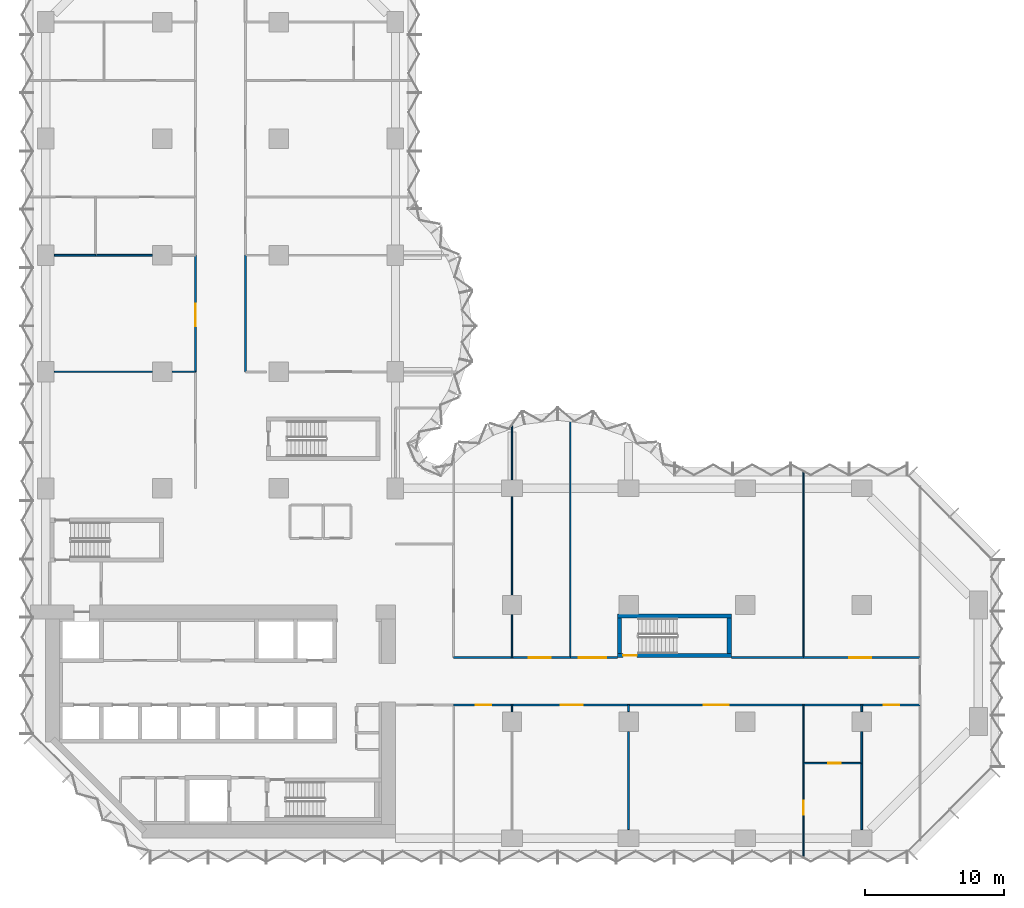
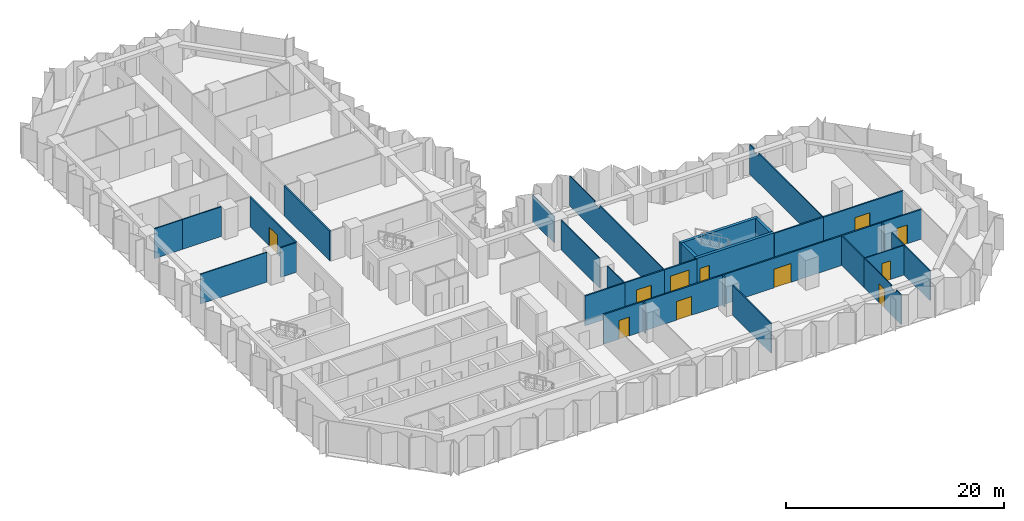
# One storey, part 10 of 15: 34 walls, 11 doors, 11 openings.
"""IFC4 building model written with IfcOpenShell, lengths in metres."""

from ifc_helpers import new_model, si_unit, direction, frame, frame_2d, origin, place, context, subcontext, project, spatial, polyline, rectangle, outline, extrude, material, layer, layer_set, type_object, element, fill, save


model = new_model("IFC4")

# Units and contexts
model_context = context("Model", 3, precision=1e-05, world=origin(), true_north=direction((0.0, 1.0)))
body_context = subcontext(model_context, "Body", "Model", "MODEL_VIEW")
ifc_project = project(units=[si_unit("LENGTHUNIT", "METRE"), si_unit("AREAUNIT", "SQUARE_METRE"), si_unit("VOLUMEUNIT", "CUBIC_METRE"), si_unit("PLANEANGLEUNIT", "RADIAN"), si_unit("MASSUNIT", "GRAM", prefix="KILO")], contexts=[model_context])

# Site, building, storey
site_placement = place(None, origin())
site = spatial("IfcSite", under=ifc_project, at=site_placement, CompositionType="ELEMENT")
building_placement = place(site_placement, origin())
building = spatial("IfcBuilding", under=site, at=building_placement, Name="Brevane Broadcast Tower", CompositionType="ELEMENT")
storey_placement = place(building_placement, frame((0.0, 0.0, 58.10009765625)))
storey = spatial("IfcBuildingStorey", under=building, at=storey_placement, Name="L12", CompositionType="ELEMENT", Elevation=58.10009765625)

# Wall, opening, door
ifc_material_1 = material(Name="Concrete C80/95", Category="concrete")
ifc_layer_1 = layer(ifc_material_1, 0.300048828125)
ifc_layer_set_1 = layer_set([ifc_layer_1], Name="Core wall 300 mm C80/95")
wall_type_1 = type_object("IfcWallType", Name="Core wall 300 mm C80/95", PredefinedType="SHEAR", material=ifc_layer_set_1)
wall_1_placement = place(storey_placement, frame((49.39990234375, 13.14990234375, 0.0), z_axis=(0.0, 0.0, 1.0), x_axis=(-1.0, 0.0, 0.0)))
wall_1 = element("IfcWall", 1, at=wall_1_placement, inside=storey, type_object=wall_type_1, Name="L12 stair wall ST-4-S", PredefinedType="SHEAR", context=body_context, shape_type="SweptSolid", body=[
    extrude(rectangle(XDim=8.199951171875, YDim=0.300048828125, at=frame_2d((4.10009765625, 0.0))), origin(), (0.0, 0.0, 1.0), 3.349853515625),
])
opening_1_placement = place(wall_1_placement, frame((6.800048828125, 0.0, 0.0)))
opening_1 = element("IfcOpeningElement", 2, at=opening_1_placement, cuts=wall_1, Name="Opening L12-K15", PredefinedType="OPENING", context=body_context, shape_type="SweptSolid", body=[
    extrude(rectangle(XDim=1.0, YDim=2.10009765625, at=frame_2d((0.5, 1.050048828125))), frame((0.0, 0.159912109375, 0.0), z_axis=(0.0, -1.0, 0.0), x_axis=(1.0, 0.0, 0.0)), (0.0, 0.0, 1.0), 0.320068359375),
])
ifc_material_2 = material(Name="Steel", Category="steel")
door_type_1 = type_object("IfcDoorType", Name="Stair door 1000 x 2100", OperationType="SINGLE_SWING_LEFT", PredefinedType="DOOR", material=ifc_material_2)
door_1_placement = place(opening_1_placement, origin())
door_1 = element("IfcDoor", 3, at=door_1_placement, inside=storey, type_object=door_type_1, Name="Door L12-K15", OperationType="SINGLE_SWING_RIGHT", OverallHeight=2.10009765625, OverallWidth=1.0, PredefinedType="DOOR", context=body_context, shape_type="SweptSolid", body=[
    extrude(rectangle(XDim=1.0, YDim=2.10009765625, at=frame_2d((0.5, 1.050048828125))), frame((0.0, 0.02490234375, 0.0), z_axis=(0.0, -1.0, 0.0), x_axis=(1.0, 0.0, 0.0)), (0.0, 0.0, 1.0), 0.050048828125),
])
fill(opening_1, door_1)

# Walls
wall_2_placement = place(storey_placement, frame((41.199951171875, 16.0, 0.0), z_axis=(0.0, 0.0, 1.0), x_axis=(1.0, 0.0, 0.0)))
element("IfcWall", 4, at=wall_2_placement, inside=storey, type_object=wall_type_1, Name="L12 stair wall ST-4-N", PredefinedType="SHEAR", context=body_context, shape_type="SweptSolid", body=[
    extrude(rectangle(XDim=8.199951171875, YDim=0.300048828125, at=frame_2d((4.10009765625, 0.0))), origin(), (0.0, 0.0, 1.0), 3.349853515625),
])
for number, where, z_axis, x_axis, name in (
    (5, (41.35009765625, 13.300048828125, 0.0), (0.0, 0.0, 1.0), (0.0, 1.0, 0.0), "L12 stair wall ST-4-W"),
    (6, (49.25, 13.300048828125, 0.0), (0.0, 0.0, 1.0), (0.0, 1.0, 0.0), "L12 stair wall ST-4-E"),
):
    element("IfcWall", number, at=place(storey_placement, frame(where, z_axis=z_axis, x_axis=x_axis)), inside=storey, type_object=wall_type_1, Name=name, PredefinedType="SHEAR", context=body_context, shape_type="SweptSolid", body=[
        extrude(rectangle(XDim=2.550048828125, YDim=0.300048828125, at=frame_2d((1.27490234375, 0.0))), origin(), (0.0, 0.0, 1.0), 3.349853515625),
    ])
ifc_material_3 = material(Name="Gypsum board partition")
ifc_layer_2 = layer(ifc_material_3, 0.10009765625)
ifc_layer_set_2 = layer_set([ifc_layer_2], Name="PARTITION 100 STUD")
wall_type_2 = type_object("IfcWallType", Name="PARTITION 100 STUD", PredefinedType="PARTITIONING", material=ifc_layer_set_2)
wall_3_placement = place(storey_placement, frame((33.60009765625, 9.60009765625, 0.0), z_axis=(0.0, 0.0, 1.0), x_axis=(0.0, -1.0, 0.0)))
element("IfcWall", 7, at=wall_3_placement, inside=storey, type_object=wall_type_2, Name="Partition G03-021", PredefinedType="PARTITIONING", context=body_context, shape_type="SweptSolid", body=[
    extrude(rectangle(XDim=0.47998046875, YDim=0.10009765625, at=frame_2d((0.239990234375, 0.0))), origin(), (0.0, 0.0, 1.0), 3.329833984375),
])

# Wall, opening, door
wall_4_placement = place(storey_placement, frame((54.60009765625, 5.39990234375, 0.0), z_axis=(0.0, 0.0, 1.0), x_axis=(0.0, -1.0, 0.0)))
wall_4 = element("IfcWall", 8, at=wall_4_placement, inside=storey, type_object=wall_type_2, Name="Partition G03-025", PredefinedType="PARTITIONING", context=body_context, shape_type="SweptSolid", body=[
    extrude(outline(polyline([(0.0, 0.0), (6.764892578125, 0.0), (6.764892578125, 3.329833984375), (6.5, 3.329833984375), (5.85009765625, 3.329833984375), (5.847900390625, 2.97998046875), (4.951904296875, 2.97998046875), (4.949951171875, 3.329833984375), (0.0, 3.329833984375), (0.0, 0.0)])), frame((0.0, 0.050048828125, 0.0), z_axis=(0.0, -1.0, 0.0), x_axis=(1.0, 0.0, 0.0)), (0.0, 0.0, 1.0), 0.10009765625),
])
opening_2_placement = place(wall_4_placement, frame((2.699951171875, 0.0, 0.0)))
opening_2 = element("IfcOpeningElement", 9, at=opening_2_placement, cuts=wall_4, Name="Opening D09-007", PredefinedType="OPENING", context=body_context, shape_type="SweptSolid", body=[
    extrude(rectangle(XDim=1.0, YDim=2.10009765625, at=frame_2d((0.5, 1.050048828125))), frame((0.0, 0.06005859375, 0.0), z_axis=(0.0, -1.0, 0.0), x_axis=(1.0, 0.0, 0.0)), (0.0, 0.0, 1.0), 0.1201171875),
])
ifc_material_4 = material(Name="Timber door leaf", Category="wood")
door_type_2 = type_object("IfcDoorType", Name="DOOR SINGLE 1000 INTERNAL", OperationType="SINGLE_SWING_LEFT", PredefinedType="DOOR", material=ifc_material_4)
door_2_placement = place(opening_2_placement, origin())
door_2 = element("IfcDoor", 10, at=door_2_placement, inside=storey, type_object=door_type_2, Name="Door D09-007", OperationType="SINGLE_SWING_LEFT", OverallHeight=2.10009765625, OverallWidth=1.0, PredefinedType="DOOR", context=body_context, shape_type="SweptSolid", body=[
    extrude(rectangle(XDim=1.0, YDim=2.10009765625, at=frame_2d((0.5, 1.050048828125))), frame((0.0, 0.02490234375, 0.0), z_axis=(0.0, -1.0, 0.0), x_axis=(1.0, 0.0, 0.0)), (0.0, 0.0, 1.0), 0.050048828125),
])
fill(opening_2, door_2)

# Wall
wall_5_placement = place(storey_placement, frame((54.60009765625, 9.60009765625, 0.0), z_axis=(0.0, 0.0, 1.0), x_axis=(0.0, -1.0, 0.0)))
element("IfcWall", 11, at=wall_5_placement, inside=storey, type_object=wall_type_2, Name="Partition G03-026", PredefinedType="PARTITIONING", context=body_context, shape_type="SweptSolid", body=[
    extrude(rectangle(XDim=4.2001953125, YDim=0.10009765625, at=frame_2d((2.10009765625, 0.0))), origin(), (0.0, 0.0, 1.0), 3.329833984375),
])

# Wall, opening, door
wall_6_placement = place(storey_placement, frame((54.60009765625, 5.39990234375, 0.0), z_axis=(0.0, 0.0, 1.0), x_axis=(1.0, 0.0, 0.0)))
wall_6 = element("IfcWall", 12, at=wall_6_placement, inside=storey, type_object=wall_type_2, Name="Partition G03-027", PredefinedType="PARTITIONING", context=body_context, shape_type="SweptSolid", body=[
    extrude(rectangle(XDim=4.199951171875, YDim=0.10009765625, at=frame_2d((2.10009765625, 0.0))), origin(), (0.0, 0.0, 1.0), 3.329833984375),
])
opening_3_placement = place(wall_6_placement, frame((1.800048828125, 0.0, 0.0)))
opening_3 = element("IfcOpeningElement", 13, at=opening_3_placement, cuts=wall_6, Name="Opening D09-008", PredefinedType="OPENING", context=body_context, shape_type="SweptSolid", body=[
    extrude(rectangle(XDim=0.89990234375, YDim=2.10009765625, at=frame_2d((0.449951171875, 1.050048828125))), frame((0.0, 0.06005859375, 0.0), z_axis=(0.0, -1.0, 0.0), x_axis=(1.0, 0.0, 0.0)), (0.0, 0.0, 1.0), 0.1201171875),
])
door_type_3 = type_object("IfcDoorType", Name="DOOR SINGLE 900 INTERNAL", OperationType="SINGLE_SWING_LEFT", PredefinedType="DOOR", material=ifc_material_4)
door_3_placement = place(opening_3_placement, origin())
door_3 = element("IfcDoor", 14, at=door_3_placement, inside=storey, type_object=door_type_3, Name="Door D09-008", OperationType="SINGLE_SWING_LEFT", OverallHeight=2.10009765625, OverallWidth=0.89990234375, PredefinedType="DOOR", context=body_context, shape_type="SweptSolid", body=[
    extrude(rectangle(XDim=0.89990234375, YDim=2.10009765625, at=frame_2d((0.449951171875, 1.050048828125))), frame((0.0, 0.02490234375, 0.0), z_axis=(0.0, -1.0, 0.0), x_axis=(1.0, 0.0, 0.0)), (0.0, 0.0, 1.0), 0.050048828125),
])
fill(opening_3, door_3)

# Walls
wall_7_placement = place(storey_placement, frame((33.60009765625, 29.761962890625, 0.0), z_axis=(0.0, 0.0, 1.0), x_axis=(0.0, -1.0, 0.0)))
element("IfcWall", 15, at=wall_7_placement, inside=storey, type_object=wall_type_2, Name="Partition G03-031", PredefinedType="PARTITIONING", context=body_context, shape_type="SweptSolid", body=[
    extrude(rectangle(XDim=3.94189453125, YDim=0.10009765625, at=frame_2d((1.970947265625, 0.0))), origin(), (0.0, 0.0, 1.0), 2.97998046875),
])
wall_8_placement = place(storey_placement, frame((33.60009765625, 24.580078125, 0.0), z_axis=(0.0, 0.0, 1.0), x_axis=(0.0, -1.0, 0.0)))
element("IfcWall", 16, at=wall_8_placement, inside=storey, type_object=wall_type_2, Name="Partition G03-032", PredefinedType="PARTITIONING", context=body_context, shape_type="SweptSolid", body=[
    extrude(rectangle(XDim=7.06005859375, YDim=0.10009765625, at=frame_2d((3.530029296875, 0.0))), origin(), (0.0, 0.0, 1.0), 3.329833984375),
])
wall_9_placement = place(storey_placement, frame((33.60009765625, 16.080078125, 0.0), z_axis=(0.0, 0.0, 1.0), x_axis=(0.0, -1.0, 0.0)))
element("IfcWall", 17, at=wall_9_placement, inside=storey, type_object=wall_type_2, Name="Partition G03-033", PredefinedType="PARTITIONING", context=body_context, shape_type="SweptSolid", body=[
    extrude(rectangle(XDim=3.080078125, YDim=0.10009765625, at=frame_2d((1.5400390625, 0.0))), origin(), (0.0, 0.0, 1.0), 3.329833984375),
])
wall_10_placement = place(storey_placement, frame((37.800048828125, 30.24267578125, 0.0), z_axis=(0.0, 0.0, 1.0), x_axis=(0.0, -1.0, 0.0)))
element("IfcWall", 18, at=wall_10_placement, inside=storey, type_object=wall_type_2, Name="Partition G03-034", PredefinedType="PARTITIONING", context=body_context, shape_type="SweptSolid", body=[
    extrude(outline(polyline([(0.0, 0.0), (17.24267578125, 0.0), (17.24267578125, 3.329833984375), (5.49267578125, 3.329833984375), (5.49072265625, 2.97998046875), (4.5947265625, 2.97998046875), (4.5927734375, 3.329833984375), (0.0, 3.329833984375), (0.0, 0.0)])), frame((0.0, 0.050048828125, 0.0), z_axis=(0.0, -1.0, 0.0), x_axis=(1.0, 0.0, 0.0)), (0.0, 0.0, 1.0), 0.10009765625),
])
wall_11_placement = place(storey_placement, frame((54.60009765625, 26.3740234375, 0.0), z_axis=(0.0, 0.0, 1.0), x_axis=(0.0, -1.0, 0.0)))
element("IfcWall", 19, at=wall_11_placement, inside=storey, type_object=wall_type_2, Name="Partition G03-035", PredefinedType="PARTITIONING", context=body_context, shape_type="SweptSolid", body=[
    extrude(outline(polyline([(0.0, 0.0), (13.3740234375, 0.0), (13.3740234375, 3.329833984375), (1.6240234375, 3.329833984375), (1.6220703125, 2.97998046875), (0.72607421875, 2.97998046875), (0.72412109375, 3.329833984375), (0.073974609375, 3.329833984375), (0.0, 3.329833984375), (0.0, 0.0)])), frame((0.0, 0.050048828125, 0.0), z_axis=(0.0, -1.0, 0.0), x_axis=(1.0, 0.0, 0.0)), (0.0, 0.0, 1.0), 0.10009765625),
])
wall_12_placement = place(storey_placement, frame((0.6201171875, 33.60009765625, 0.0), z_axis=(0.0, 0.0, 1.0), x_axis=(1.0, 0.0, 0.0)))
element("IfcWall", 20, at=wall_12_placement, inside=storey, type_object=wall_type_2, Name="Partition G03-051", PredefinedType="PARTITIONING", context=body_context, shape_type="SweptSolid", body=[
    extrude(rectangle(XDim=7.059814453125, YDim=0.10009765625, at=frame_2d((3.52978515625, 0.0))), origin(), (0.0, 0.0, 1.0), 3.329833984375),
])
wall_13_placement = place(storey_placement, frame((9.1201171875, 33.60009765625, 0.0), z_axis=(0.0, 0.0, 1.0), x_axis=(1.0, 0.0, 0.0)))
element("IfcWall", 21, at=wall_13_placement, inside=storey, type_object=wall_type_2, Name="Partition G03-052", PredefinedType="PARTITIONING", context=body_context, shape_type="SweptSolid", body=[
    extrude(rectangle(XDim=1.679931640625, YDim=0.10009765625, at=frame_2d((0.83984375, 0.0))), origin(), (0.0, 0.0, 1.0), 3.329833984375),
])
ifc_layer_3 = layer(ifc_material_3, 0.125)
ifc_layer_set_3 = layer_set([ifc_layer_3], Name="PARTITION 125 ACOUSTIC")
wall_type_3 = type_object("IfcWallType", Name="PARTITION 125 ACOUSTIC", PredefinedType="PARTITIONING", material=ifc_layer_set_3)
wall_14_placement = place(storey_placement, frame((42.0, 9.60009765625, 0.0), z_axis=(0.0, 0.0, 1.0), x_axis=(0.0, -1.0, 0.0)))
element("IfcWall", 22, at=wall_14_placement, inside=storey, type_object=wall_type_3, Name="Partition G03-023", PredefinedType="PARTITIONING", context=body_context, shape_type="SweptSolid", body=[
    extrude(rectangle(XDim=0.47998046875, YDim=0.125, at=frame_2d((0.239990234375, 0.0))), origin(), (0.0, 0.0, 1.0), 3.329833984375),
])
wall_15_placement = place(storey_placement, frame((42.0, 7.679931640625, 0.0), z_axis=(0.0, 0.0, 1.0), x_axis=(0.0, -1.0, 0.0)))
element("IfcWall", 23, at=wall_15_placement, inside=storey, type_object=wall_type_3, Name="Partition G03-024", PredefinedType="PARTITIONING", context=body_context, shape_type="SweptSolid", body=[
    extrude(rectangle(XDim=7.059814453125, YDim=0.125, at=frame_2d((3.52978515625, 0.0))), origin(), (0.0, 0.0, 1.0), 3.329833984375),
])
wall_16_placement = place(storey_placement, frame((58.800048828125, 5.39990234375, 0.0), z_axis=(0.0, 0.0, 1.0), x_axis=(0.0, -1.0, 0.0)))
element("IfcWall", 24, at=wall_16_placement, inside=storey, type_object=wall_type_3, Name="Partition G03-028", PredefinedType="PARTITIONING", context=body_context, shape_type="SweptSolid", body=[
    extrude(rectangle(XDim=4.77978515625, YDim=0.125, at=frame_2d((2.389892578125, 0.0))), origin(), (0.0, 0.0, 1.0), 3.329833984375),
])
wall_17_placement = place(storey_placement, frame((58.800048828125, 9.60009765625, 0.0), z_axis=(0.0, 0.0, 1.0), x_axis=(0.0, -1.0, 0.0)))
element("IfcWall", 25, at=wall_17_placement, inside=storey, type_object=wall_type_3, Name="Partition G03-029", PredefinedType="PARTITIONING", context=body_context, shape_type="SweptSolid", body=[
    extrude(rectangle(XDim=0.47998046875, YDim=0.125, at=frame_2d((0.239990234375, 0.0))), origin(), (0.0, 0.0, 1.0), 3.329833984375),
])
wall_18_placement = place(storey_placement, frame((58.800048828125, 7.679931640625, 0.0), z_axis=(0.0, 0.0, 1.0), x_axis=(0.0, -1.0, 0.0)))
element("IfcWall", 26, at=wall_18_placement, inside=storey, type_object=wall_type_3, Name="Partition G03-030", PredefinedType="PARTITIONING", context=body_context, shape_type="SweptSolid", body=[
    extrude(rectangle(XDim=2.280029296875, YDim=0.125, at=frame_2d((1.14013671875, 0.0))), origin(), (0.0, 0.0, 1.0), 3.329833984375),
])
wall_19_placement = place(storey_placement, frame((0.6201171875, 42.0, 0.0), z_axis=(0.0, 0.0, 1.0), x_axis=(1.0, 0.0, 0.0)))
element("IfcWall", 27, at=wall_19_placement, inside=storey, type_object=wall_type_3, Name="Partition G03-053", PredefinedType="PARTITIONING", context=body_context, shape_type="SweptSolid", body=[
    extrude(rectangle(XDim=2.97998046875, YDim=0.125, at=frame_2d((1.489990234375, 0.0))), origin(), (0.0, 0.0, 1.0), 3.329833984375),
])
wall_20_placement = place(storey_placement, frame((3.60009765625, 42.0, 0.0), z_axis=(0.0, 0.0, 1.0), x_axis=(1.0, 0.0, 0.0)))
element("IfcWall", 28, at=wall_20_placement, inside=storey, type_object=wall_type_3, Name="Partition G03-054", PredefinedType="PARTITIONING", context=body_context, shape_type="SweptSolid", body=[
    extrude(rectangle(XDim=4.079833984375, YDim=0.125, at=frame_2d((2.0400390625, 0.0))), origin(), (0.0, 0.0, 1.0), 3.329833984375),
])

# Wall, opening, door
ifc_layer_4 = layer(ifc_material_3, 0.14990234375)
ifc_layer_set_4 = layer_set([ifc_layer_4], Name="PARTITION 150 EI 60")
wall_type_4 = type_object("IfcWallType", Name="PARTITION 150 EI 60", PredefinedType="PARTITIONING", material=ifc_layer_set_4)
wall_21_placement = place(storey_placement, frame((33.60009765625, 9.60009765625, 0.0), z_axis=(0.0, 0.0, 1.0), x_axis=(-1.0, 0.0, 0.0)))
wall_21 = element("IfcWall", 29, at=wall_21_placement, inside=storey, type_object=wall_type_4, Name="Partition G03-008", PredefinedType="PARTITIONING", context=body_context, shape_type="SweptSolid", body=[
    extrude(rectangle(XDim=4.2001953125, YDim=0.14990234375, at=frame_2d((2.10009765625, 0.0))), origin(), (0.0, 0.0, 1.0), 3.329833984375),
])
opening_4_placement = place(wall_21_placement, frame((1.5, 0.0, 0.0)))
opening_4 = element("IfcOpeningElement", 30, at=opening_4_placement, cuts=wall_21, Name="Opening D09-004", PredefinedType="OPENING", context=body_context, shape_type="SweptSolid", body=[
    extrude(rectangle(XDim=1.10009765625, YDim=2.10009765625, at=frame_2d((0.550048828125, 1.050048828125))), frame((0.0, 0.0849609375, 0.0), z_axis=(0.0, -1.0, 0.0), x_axis=(1.0, 0.0, 0.0)), (0.0, 0.0, 1.0), 0.169921875),
])
ifc_material_5 = material(Name="Fire-rated timber door leaf", Category="wood")
door_type_4 = type_object("IfcDoorType", Name="DOOR SINGLE 1100 FD30S", OperationType="SINGLE_SWING_LEFT", PredefinedType="DOOR", material=ifc_material_5)
door_4_placement = place(opening_4_placement, origin())
door_4 = element("IfcDoor", 31, at=door_4_placement, inside=storey, type_object=door_type_4, Name="Door D09-004", OperationType="SINGLE_SWING_LEFT", OverallHeight=2.10009765625, OverallWidth=1.10009765625, PredefinedType="DOOR", context=body_context, shape_type="SweptSolid", body=[
    extrude(rectangle(XDim=1.10009765625, YDim=2.10009765625, at=frame_2d((0.550048828125, 1.050048828125))), frame((0.0, 0.02490234375, 0.0), z_axis=(0.0, -1.0, 0.0), x_axis=(1.0, 0.0, 0.0)), (0.0, 0.0, 1.0), 0.050048828125),
])
fill(opening_4, door_4)

wall_22_placement = place(storey_placement, frame((42.0, 9.60009765625, 0.0), z_axis=(0.0, 0.0, 1.0), x_axis=(-1.0, 0.0, 0.0)))
wall_22 = element("IfcWall", 32, at=wall_22_placement, inside=storey, type_object=wall_type_4, Name="Partition G03-009", PredefinedType="PARTITIONING", context=body_context, shape_type="SweptSolid", body=[
    extrude(rectangle(XDim=8.39990234375, YDim=0.14990234375, at=frame_2d((4.199951171875, 0.0))), origin(), (0.0, 0.0, 1.0), 3.329833984375),
])
opening_5_placement = place(wall_22_placement, frame((3.300048828125, 0.0, 0.0)))
opening_5 = element("IfcOpeningElement", 33, at=opening_5_placement, cuts=wall_22, Name="Opening D09-005", PredefinedType="OPENING", context=body_context, shape_type="SweptSolid", body=[
    extrude(rectangle(XDim=1.60009765625, YDim=2.10009765625, at=frame_2d((0.800048828125, 1.050048828125))), frame((0.0, 0.0849609375, 0.0), z_axis=(0.0, -1.0, 0.0), x_axis=(1.0, 0.0, 0.0)), (0.0, 0.0, 1.0), 0.169921875),
])
door_type_5 = type_object("IfcDoorType", Name="DOOR DOUBLE 1600 FD30S", OperationType="DOUBLE_DOOR_SINGLE_SWING", PredefinedType="DOOR", material=ifc_material_5)
door_5_placement = place(opening_5_placement, origin())
door_5 = element("IfcDoor", 34, at=door_5_placement, inside=storey, type_object=door_type_5, Name="Door D09-005", OperationType="DOUBLE_DOOR_SINGLE_SWING", OverallHeight=2.10009765625, OverallWidth=1.60009765625, PredefinedType="DOOR", context=body_context, shape_type="SweptSolid", body=[
    extrude(rectangle(XDim=1.60009765625, YDim=2.10009765625, at=frame_2d((0.800048828125, 1.050048828125))), frame((0.0, 0.02490234375, 0.0), z_axis=(0.0, -1.0, 0.0), x_axis=(1.0, 0.0, 0.0)), (0.0, 0.0, 1.0), 0.050048828125),
])
fill(opening_5, door_5)

wall_23_placement = place(storey_placement, frame((54.60009765625, 9.60009765625, 0.0), z_axis=(0.0, 0.0, 1.0), x_axis=(-1.0, 0.0, 0.0)))
wall_23 = element("IfcWall", 35, at=wall_23_placement, inside=storey, type_object=wall_type_4, Name="Partition G03-010", PredefinedType="PARTITIONING", context=body_context, shape_type="SweptSolid", body=[
    extrude(rectangle(XDim=12.60009765625, YDim=0.14990234375, at=frame_2d((6.300048828125, 0.0))), origin(), (0.0, 0.0, 1.0), 3.329833984375),
])
opening_6_placement = place(wall_23_placement, frame((5.39990234375, 0.0, 0.0)))
opening_6 = element("IfcOpeningElement", 36, at=opening_6_placement, cuts=wall_23, Name="Opening D09-006", PredefinedType="OPENING", context=body_context, shape_type="SweptSolid", body=[
    extrude(rectangle(XDim=1.800048828125, YDim=2.10009765625, at=frame_2d((0.89990234375, 1.050048828125))), frame((0.0, 0.0849609375, 0.0), z_axis=(0.0, -1.0, 0.0), x_axis=(1.0, 0.0, 0.0)), (0.0, 0.0, 1.0), 0.169921875),
])
door_type_6 = type_object("IfcDoorType", Name="DOOR DOUBLE 1800 FD30S", OperationType="DOUBLE_DOOR_SINGLE_SWING", PredefinedType="DOOR", material=ifc_material_5)
door_6_placement = place(opening_6_placement, origin())
door_6 = element("IfcDoor", 37, at=door_6_placement, inside=storey, type_object=door_type_6, Name="Door D09-006", OperationType="DOUBLE_DOOR_SINGLE_SWING", OverallHeight=2.10009765625, OverallWidth=1.800048828125, PredefinedType="DOOR", context=body_context, shape_type="SweptSolid", body=[
    extrude(rectangle(XDim=1.800048828125, YDim=2.10009765625, at=frame_2d((0.89990234375, 1.050048828125))), frame((0.0, 0.02490234375, 0.0), z_axis=(0.0, -1.0, 0.0), x_axis=(1.0, 0.0, 0.0)), (0.0, 0.0, 1.0), 0.050048828125),
])
fill(opening_6, door_6)

# Wall
wall_24_placement = place(storey_placement, frame((58.800048828125, 9.60009765625, 0.0), z_axis=(0.0, 0.0, 1.0), x_axis=(-1.0, 0.0, 0.0)))
element("IfcWall", 38, at=wall_24_placement, inside=storey, type_object=wall_type_4, Name="Partition G03-011", PredefinedType="PARTITIONING", context=body_context, shape_type="SweptSolid", body=[
    extrude(rectangle(XDim=4.199951171875, YDim=0.14990234375, at=frame_2d((2.10009765625, 0.0))), origin(), (0.0, 0.0, 1.0), 3.329833984375),
])

# Wall, opening, door
wall_25_placement = place(storey_placement, frame((63.0, 9.60009765625, 0.0), z_axis=(0.0, 0.0, 1.0), x_axis=(-1.0, 0.0, 0.0)))
wall_25 = element("IfcWall", 39, at=wall_25_placement, inside=storey, type_object=wall_type_4, Name="Partition G03-012", PredefinedType="PARTITIONING", context=body_context, shape_type="SweptSolid", body=[
    extrude(rectangle(XDim=4.199951171875, YDim=0.14990234375, at=frame_2d((2.10009765625, 0.0))), origin(), (0.0, 0.0, 1.0), 3.329833984375),
])
opening_7_placement = place(wall_25_placement, frame((1.5, 0.0, 0.0)))
opening_7 = element("IfcOpeningElement", 40, at=opening_7_placement, cuts=wall_25, Name="Opening D09-009", PredefinedType="OPENING", context=body_context, shape_type="SweptSolid", body=[
    extrude(rectangle(XDim=1.10009765625, YDim=2.10009765625, at=frame_2d((0.550048828125, 1.050048828125))), frame((0.0, 0.0849609375, 0.0), z_axis=(0.0, -1.0, 0.0), x_axis=(1.0, 0.0, 0.0)), (0.0, 0.0, 1.0), 0.169921875),
])
door_7_placement = place(opening_7_placement, origin())
door_7 = element("IfcDoor", 41, at=door_7_placement, inside=storey, type_object=door_type_4, Name="Door D09-009", OperationType="SINGLE_SWING_LEFT", OverallHeight=2.10009765625, OverallWidth=1.10009765625, PredefinedType="DOOR", context=body_context, shape_type="SweptSolid", body=[
    extrude(rectangle(XDim=1.10009765625, YDim=2.10009765625, at=frame_2d((0.550048828125, 1.050048828125))), frame((0.0, 0.02490234375, 0.0), z_axis=(0.0, -1.0, 0.0), x_axis=(1.0, 0.0, 0.0)), (0.0, 0.0, 1.0), 0.050048828125),
])
fill(opening_7, door_7)

# Wall
wall_26_placement = place(storey_placement, frame((29.39990234375, 13.0, 0.0), z_axis=(0.0, 0.0, 1.0), x_axis=(1.0, 0.0, 0.0)))
element("IfcWall", 42, at=wall_26_placement, inside=storey, type_object=wall_type_4, Name="Partition G03-013", PredefinedType="PARTITIONING", context=body_context, shape_type="SweptSolid", body=[
    extrude(rectangle(XDim=4.2001953125, YDim=0.14990234375, at=frame_2d((2.10009765625, 0.0))), origin(), (0.0, 0.0, 1.0), 3.329833984375),
])

# Wall, opening, door
wall_27_placement = place(storey_placement, frame((33.60009765625, 13.0, 0.0), z_axis=(0.0, 0.0, 1.0), x_axis=(1.0, 0.0, 0.0)))
wall_27 = element("IfcWall", 43, at=wall_27_placement, inside=storey, type_object=wall_type_4, Name="Partition G03-014", PredefinedType="PARTITIONING", context=body_context, shape_type="SweptSolid", body=[
    extrude(rectangle(XDim=4.199951171875, YDim=0.14990234375, at=frame_2d((2.10009765625, 0.0))), origin(), (0.0, 0.0, 1.0), 3.329833984375),
])
opening_8_placement = place(wall_27_placement, frame((1.199951171875, 0.0, 0.0)))
opening_8 = element("IfcOpeningElement", 44, at=opening_8_placement, cuts=wall_27, Name="Opening D09-011", PredefinedType="OPENING", context=body_context, shape_type="SweptSolid", body=[
    extrude(rectangle(XDim=1.60009765625, YDim=2.10009765625, at=frame_2d((0.800048828125, 1.050048828125))), frame((0.0, 0.0849609375, 0.0), z_axis=(0.0, -1.0, 0.0), x_axis=(1.0, 0.0, 0.0)), (0.0, 0.0, 1.0), 0.169921875),
])
door_8_placement = place(opening_8_placement, origin())
door_8 = element("IfcDoor", 45, at=door_8_placement, inside=storey, type_object=door_type_5, Name="Door D09-011", OperationType="DOUBLE_DOOR_SINGLE_SWING", OverallHeight=2.10009765625, OverallWidth=1.60009765625, PredefinedType="DOOR", context=body_context, shape_type="SweptSolid", body=[
    extrude(rectangle(XDim=1.60009765625, YDim=2.10009765625, at=frame_2d((0.800048828125, 1.050048828125))), frame((0.0, 0.02490234375, 0.0), z_axis=(0.0, -1.0, 0.0), x_axis=(1.0, 0.0, 0.0)), (0.0, 0.0, 1.0), 0.050048828125),
])
fill(opening_8, door_8)

wall_28_placement = place(storey_placement, frame((37.800048828125, 13.0, 0.0), z_axis=(0.0, 0.0, 1.0), x_axis=(1.0, 0.0, 0.0)))
wall_28 = element("IfcWall", 46, at=wall_28_placement, inside=storey, type_object=wall_type_4, Name="Partition G03-015", PredefinedType="PARTITIONING", context=body_context, shape_type="SweptSolid", body=[
    extrude(rectangle(XDim=3.39990234375, YDim=0.14990234375, at=frame_2d((1.699951171875, 0.0))), origin(), (0.0, 0.0, 1.0), 3.329833984375),
])
opening_9_placement = place(wall_28_placement, frame((0.60009765625, 0.0, 0.0)))
opening_9 = element("IfcOpeningElement", 47, at=opening_9_placement, cuts=wall_28, Name="Opening D09-012", PredefinedType="OPENING", context=body_context, shape_type="SweptSolid", body=[
    extrude(rectangle(XDim=2.0, YDim=2.39990234375, at=frame_2d((1.0, 1.199951171875))), frame((0.0, 0.0849609375, 0.0), z_axis=(0.0, -1.0, 0.0), x_axis=(1.0, 0.0, 0.0)), (0.0, 0.0, 1.0), 0.169921875),
])
door_type_7 = type_object("IfcDoorType", Name="DOOR DOUBLE 2000 FD30S", OperationType="DOUBLE_DOOR_SINGLE_SWING", PredefinedType="DOOR", material=ifc_material_5)
door_9_placement = place(opening_9_placement, origin())
door_9 = element("IfcDoor", 48, at=door_9_placement, inside=storey, type_object=door_type_7, Name="Door D09-012", OperationType="DOUBLE_DOOR_SINGLE_SWING", OverallHeight=2.39990234375, OverallWidth=2.0, PredefinedType="DOOR", context=body_context, shape_type="SweptSolid", body=[
    extrude(rectangle(XDim=2.0, YDim=2.39990234375, at=frame_2d((1.0, 1.199951171875))), frame((0.0, 0.02490234375, 0.0), z_axis=(0.0, -1.0, 0.0), x_axis=(1.0, 0.0, 0.0)), (0.0, 0.0, 1.0), 0.050048828125),
])
fill(opening_9, door_9)

# Wall
wall_29_placement = place(storey_placement, frame((49.39990234375, 13.0, 0.0), z_axis=(0.0, 0.0, 1.0), x_axis=(1.0, 0.0, 0.0)))
element("IfcWall", 49, at=wall_29_placement, inside=storey, type_object=wall_type_4, Name="Partition G03-016", PredefinedType="PARTITIONING", context=body_context, shape_type="SweptSolid", body=[
    extrude(rectangle(XDim=5.2001953125, YDim=0.14990234375, at=frame_2d((2.60009765625, 0.0))), origin(), (0.0, 0.0, 1.0), 3.329833984375),
])

# Wall, opening, door
wall_30_placement = place(storey_placement, frame((54.60009765625, 13.0, 0.0), z_axis=(0.0, 0.0, 1.0), x_axis=(1.0, 0.0, 0.0)))
wall_30 = element("IfcWall", 50, at=wall_30_placement, inside=storey, type_object=wall_type_4, Name="Partition G03-017", PredefinedType="PARTITIONING", context=body_context, shape_type="SweptSolid", body=[
    extrude(rectangle(XDim=8.39990234375, YDim=0.14990234375, at=frame_2d((4.199951171875, 0.0))), origin(), (0.0, 0.0, 1.0), 3.329833984375),
])
opening_10_placement = place(wall_30_placement, frame((3.300048828125, 0.0, 0.0)))
opening_10 = element("IfcOpeningElement", 51, at=opening_10_placement, cuts=wall_30, Name="Opening D09-013", PredefinedType="OPENING", context=body_context, shape_type="SweptSolid", body=[
    extrude(rectangle(XDim=1.60009765625, YDim=2.10009765625, at=frame_2d((0.800048828125, 1.050048828125))), frame((0.0, 0.0849609375, 0.0), z_axis=(0.0, -1.0, 0.0), x_axis=(1.0, 0.0, 0.0)), (0.0, 0.0, 1.0), 0.169921875),
])
door_10_placement = place(opening_10_placement, origin())
door_10 = element("IfcDoor", 52, at=door_10_placement, inside=storey, type_object=door_type_5, Name="Door D09-013", OperationType="DOUBLE_DOOR_SINGLE_SWING", OverallHeight=2.10009765625, OverallWidth=1.60009765625, PredefinedType="DOOR", context=body_context, shape_type="SweptSolid", body=[
    extrude(rectangle(XDim=1.60009765625, YDim=2.10009765625, at=frame_2d((0.800048828125, 1.050048828125))), frame((0.0, 0.02490234375, 0.0), z_axis=(0.0, -1.0, 0.0), x_axis=(1.0, 0.0, 0.0)), (0.0, 0.0, 1.0), 0.050048828125),
])
fill(opening_10, door_10)

wall_31_placement = place(storey_placement, frame((10.800048828125, 33.60009765625, 0.0), z_axis=(0.0, 0.0, 1.0), x_axis=(0.0, 1.0, 0.0)))
wall_31 = element("IfcWall", 53, at=wall_31_placement, inside=storey, type_object=wall_type_4, Name="Partition G03-040", PredefinedType="PARTITIONING", context=body_context, shape_type="SweptSolid", body=[
    extrude(rectangle(XDim=8.39990234375, YDim=0.14990234375, at=frame_2d((4.199951171875, 0.0))), origin(), (0.0, 0.0, 1.0), 3.329833984375),
])
opening_11_placement = place(wall_31_placement, frame((3.300048828125, 0.0, 0.0)))
opening_11 = element("IfcOpeningElement", 54, at=opening_11_placement, cuts=wall_31, Name="Opening D09-015", PredefinedType="OPENING", context=body_context, shape_type="SweptSolid", body=[
    extrude(rectangle(XDim=1.60009765625, YDim=2.10009765625, at=frame_2d((0.800048828125, 1.050048828125))), frame((0.0, 0.0849609375, 0.0), z_axis=(0.0, -1.0, 0.0), x_axis=(1.0, 0.0, 0.0)), (0.0, 0.0, 1.0), 0.169921875),
])
door_11_placement = place(opening_11_placement, origin())
door_11 = element("IfcDoor", 55, at=door_11_placement, inside=storey, type_object=door_type_5, Name="Door D09-015", OperationType="DOUBLE_DOOR_SINGLE_SWING", OverallHeight=2.10009765625, OverallWidth=1.60009765625, PredefinedType="DOOR", context=body_context, shape_type="SweptSolid", body=[
    extrude(rectangle(XDim=1.60009765625, YDim=2.10009765625, at=frame_2d((0.800048828125, 1.050048828125))), frame((0.0, 0.02490234375, 0.0), z_axis=(0.0, -1.0, 0.0), x_axis=(1.0, 0.0, 0.0)), (0.0, 0.0, 1.0), 0.050048828125),
])
fill(opening_11, door_11)

# Wall
wall_32_placement = place(storey_placement, frame((14.39990234375, 42.0, 0.0), z_axis=(0.0, 0.0, 1.0), x_axis=(0.0, -1.0, 0.0)))
element("IfcWall", 56, at=wall_32_placement, inside=storey, type_object=wall_type_4, Name="Partition G03-046", PredefinedType="PARTITIONING", context=body_context, shape_type="SweptSolid", body=[
    extrude(rectangle(XDim=8.39990234375, YDim=0.14990234375, at=frame_2d((4.199951171875, 0.0))), origin(), (0.0, 0.0, 1.0), 3.329833984375),
])

save(model, "model.ifc")
